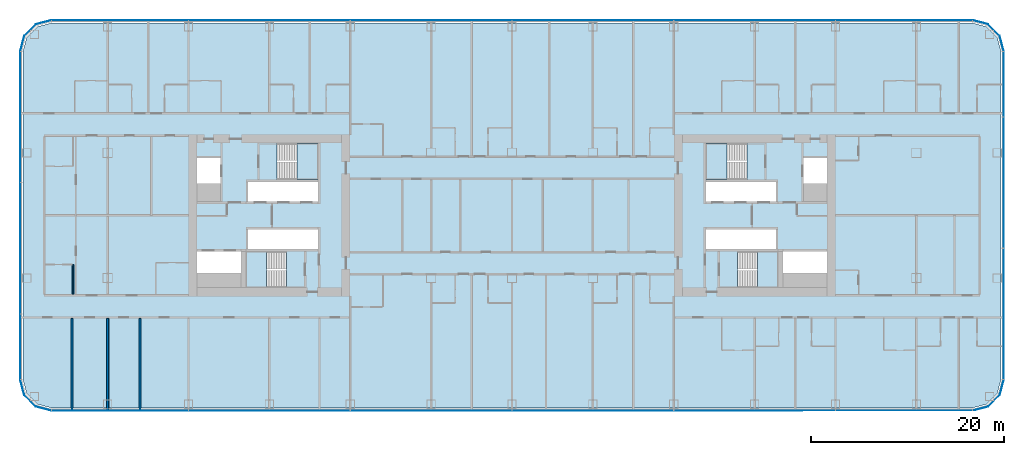
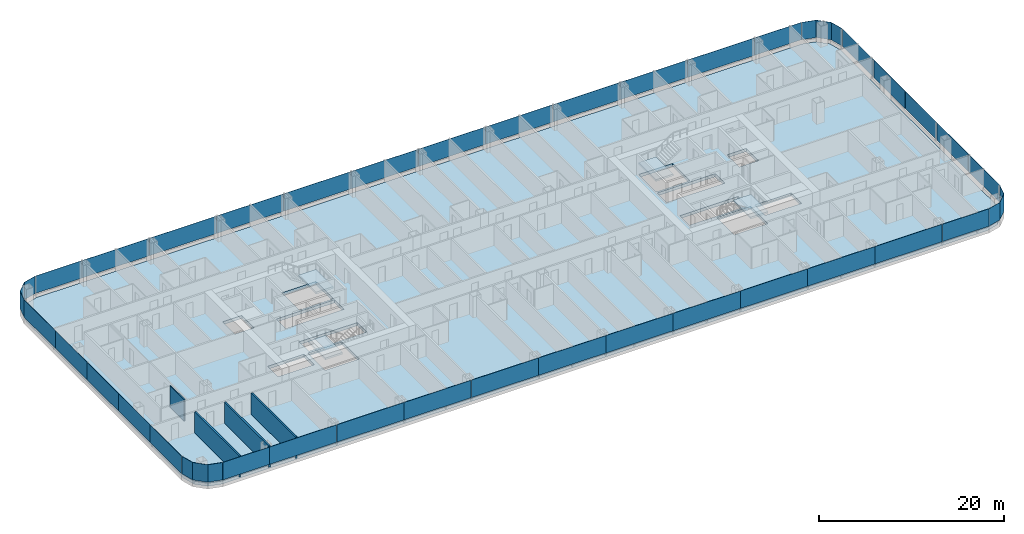
# One storey, part 12 of 28: 38 plates, 5 slabs, 4 walls, 12 elements without a shape of their own.
"""IFC4 building model written with IfcOpenShell, lengths in metres."""

import ifcopenshell
import ifcopenshell.guid

model = None  # the IFC model being written
_history = None  # IfcOwnerHistory: only IFC2X3 demands one
_inside = {}  # id of a spatial element -> (the spatial element, [elements in it])
_under = {}  # id of a project, library or spatial element -> (it, [spatial elements below it])
_declared = {}  # id of a project -> (the project, [libraries it declares])
_typed = {}  # id of a type object -> (the type object, [elements of that type])
_made_of = {}  # id of a material, layer set ... -> (it, [elements and type objects made of it])


def new_model(schema):
    """Start an empty IFC model of exactly this schema.

    Asked for "IFC4X3", IfcOpenShell would pick the latest addendum, in which some entities
    have other attributes; the version numbers below select the first issue.
    IFC2X3 requires an IfcOwnerHistory on every rooted entity: one is made here for all.
    """
    global model, _history
    if schema == "IFC4X3":
        model = ifcopenshell.file(schema_version=(4, 3, 0, 0))
    else:
        model = ifcopenshell.file(schema=schema)
    _inside.clear()
    _under.clear()
    _declared.clear()
    _typed.clear()
    _made_of.clear()
    _history = None
    if model.schema == "IFC2X3":
        org = make("IfcOrganization", Name="unknown")
        user = make(
            "IfcPersonAndOrganization",
            ThePerson=make("IfcPerson", FamilyName="unknown"),
            TheOrganization=org,
        )
        app = make(
            "IfcApplication",
            ApplicationDeveloper=org,
            Version="unknown",
            ApplicationFullName="unknown",
            ApplicationIdentifier="unknown",
        )
        _history = make(
            "IfcOwnerHistory",
            OwningUser=user,
            OwningApplication=app,
            ChangeAction="ADDED",
            CreationDate=0,
        )
    return model


def make(cls, **values):
    """One entity of the class cls with the attributes given. An attribute that is None is left unset."""
    return model.create_entity(
        cls, **{name: value for name, value in values.items() if value is not None}
    )


def rooted(cls, **values):
    """An entity with a GlobalId (a new one), such as an element, a storey or a relation."""
    return make(cls, GlobalId=ifcopenshell.guid.new(), OwnerHistory=_history, **values)


def si_unit(unit_type, name, prefix=None):
    """IfcSIUnit, for example si_unit("LENGTHUNIT", "METRE", prefix="MILLI")."""
    return make("IfcSIUnit", UnitType=unit_type, Prefix=prefix, Name=name)


def assignment(units):
    """IfcUnitAssignment: the units of a project."""
    return None if units is None else make("IfcUnitAssignment", Units=units)


def point(xyz):
    """IfcCartesianPoint."""
    return None if xyz is None else make("IfcCartesianPoint", Coordinates=xyz)


def direction(xyz):
    """IfcDirection."""
    return None if xyz is None else make("IfcDirection", DirectionRatios=xyz)


def frame(location, z_axis=None, x_axis=None):
    """IfcAxis2Placement3D, a coordinate frame: its origin and axes. An axis left out is left unset."""
    return make(
        "IfcAxis2Placement3D",
        Location=point(location),
        Axis=direction(z_axis),
        RefDirection=direction(x_axis),
    )


def frame_2d(location, x_axis=None):
    """IfcAxis2Placement2D, a coordinate frame in the plane: its origin and x axis."""
    return make(
        "IfcAxis2Placement2D", Location=point(location), RefDirection=direction(x_axis)
    )


def origin():
    """The frame at (0, 0, 0) with its axes left unset."""
    return frame((0.0, 0.0, 0.0))


def origin_2d():
    """The frame at (0, 0) in the plane with its x axis left unset."""
    return frame_2d((0.0, 0.0))


def place(relative_to, where):
    """IfcLocalPlacement: puts the frame where relative to a parent placement (None: the world)."""
    return make(
        "IfcLocalPlacement", PlacementRelTo=relative_to, RelativePlacement=where
    )


def context(
    kind, dimensions, precision=None, world=None, true_north=None, identifier=None
):
    """IfcGeometricRepresentationContext, for example the 3D "Model" context."""
    return make(
        "IfcGeometricRepresentationContext",
        ContextIdentifier=identifier,
        ContextType=kind,
        CoordinateSpaceDimension=dimensions,
        Precision=precision,
        WorldCoordinateSystem=world,
        TrueNorth=true_north,
    )


def subcontext(parent, identifier, kind, view, scale=None):
    """IfcGeometricRepresentationSubContext, for example "Body" below "Model"."""
    return make(
        "IfcGeometricRepresentationSubContext",
        ContextIdentifier=identifier,
        ContextType=kind,
        ParentContext=parent,
        TargetScale=scale,
        TargetView=view,
    )


def project(units=None, contexts=None):
    """IfcProject with its units and contexts."""
    return rooted(
        "IfcProject",
        Name="project",
        RepresentationContexts=contexts,
        UnitsInContext=assignment(units),
    )


def spatial(cls, under=None, at=None, **own):
    """A site, building, storey or space (cls), placed at a placement, below another one or the project."""
    s = rooted(cls, ObjectPlacement=at, **own)
    if under is not None:
        _under.setdefault(under.id(), (under, []))[1].append(s)
    return s


def polyline(points):
    """IfcPolyline through the points."""
    return make("IfcPolyline", Points=[point(p) for p in points])


def profile(cls, at=None, kind="AREA", **sizes):
    """A parametric profile (cls). Its sizes go by their IFC names, for example OverallWidth=200.0."""
    return make(cls, ProfileType=kind, Position=at, **sizes)


def rectangle(**sizes):
    """IfcRectangleProfileDef."""
    return profile("IfcRectangleProfileDef", **sizes)


def outline(outer, holes=None, kind="AREA"):
    """IfcArbitraryClosedProfileDef: a profile drawn as a closed curve; with holes, ...WithVoids."""
    if holes is None:
        return make("IfcArbitraryClosedProfileDef", ProfileType=kind, OuterCurve=outer)
    return make(
        "IfcArbitraryProfileDefWithVoids",
        ProfileType=kind,
        OuterCurve=outer,
        InnerCurves=holes,
    )


def extrude(swept, where, along, depth):
    """IfcExtrudedAreaSolid: the profile swept, set in the frame where, extruded along a direction by depth."""
    return make(
        "IfcExtrudedAreaSolid",
        SweptArea=swept,
        Position=where,
        ExtrudedDirection=direction(along),
        Depth=depth,
    )


def shape(context_of_items, identifier, shape_type, items):
    """IfcShapeRepresentation: the items that make up one representation, for example the "Body"."""
    return make(
        "IfcShapeRepresentation",
        ContextOfItems=context_of_items,
        RepresentationIdentifier=identifier,
        RepresentationType=shape_type,
        Items=items,
    )


def material(Name=None, Category=None):
    """IfcMaterial."""
    return make("IfcMaterial", Name=Name, Category=Category)


def layer(
    of_material, thickness, ventilated=None, Name=None, Category=None, Priority=None
):
    """IfcMaterialLayer: one layer of a wall or slab, of a material (None: an air gap)."""
    return make(
        "IfcMaterialLayer",
        Material=of_material,
        LayerThickness=thickness,
        IsVentilated=ventilated,
        Name=Name,
        Category=Category,
        Priority=Priority,
    )


def layer_set(layers, Name=None):
    """IfcMaterialLayerSet."""
    return make("IfcMaterialLayerSet", MaterialLayers=layers, LayerSetName=Name)


def made_of(thing, what):
    """Note that an element or type object is made of a material, layer set ...; save() writes the relation."""
    if what is not None:
        _made_of.setdefault(what.id(), (what, []))[1].append(thing)
    return thing


def type_object(cls, material=None, **own):
    """A type object (cls), such as IfcWallType, which elements share."""
    return made_of(rooted(cls, **own), material)


def element(
    cls,
    number,
    at=None,
    inside=None,
    cuts=None,
    type_object=None,
    material=None,
    context=None,
    identifier="Body",
    shape_type=None,
    held_by="IfcProductDefinitionShape",
    body=None,
    shapes=None,
    **own,
):
    """One element of the class cls, such as IfcWall. Its Tag is "e" and its number.

    at: its placement. inside: the storey or other place that contains it. cuts: it is an
    opening in that element (IfcRelVoidsElement). A single representation is given by context,
    identifier, shape_type and body (its items); several are given by shapes. held_by: the class
    of the entity that holds the representations. save() writes the other relations.
    """
    e = rooted(cls, Tag="e%d" % number, ObjectPlacement=at, **own)
    if body is not None:
        shapes = [shape(context, identifier, shape_type, body)]
    if shapes is not None:
        e.Representation = make(held_by, Representations=shapes)
    if inside is not None:
        _inside.setdefault(inside.id(), (inside, []))[1].append(e)
    if cuts is not None:
        rooted(
            "IfcRelVoidsElement", RelatingBuildingElement=cuts, RelatedOpeningElement=e
        )
    if type_object is not None:
        _typed.setdefault(type_object.id(), (type_object, []))[1].append(e)
    return made_of(e, material)


def aggregate(whole, parts):
    """IfcRelAggregates: a whole, such as a stair, and the parts it consists of."""
    return rooted("IfcRelAggregates", RelatingObject=whole, RelatedObjects=parts)


def save(model, path):
    """Write the relations noted so far, then the file.

    IfcRelAggregates (storeys below a building ...), IfcRelContainedInSpatialStructure (elements
    in a storey), IfcRelDefinesByType, IfcRelAssociatesMaterial and IfcRelDeclares: one each for
    every whole, place, type object, material and project.
    """
    for whole, parts in _under.values():
        aggregate(whole, parts)
    for where, things in _inside.values():
        rooted(
            "IfcRelContainedInSpatialStructure",
            RelatedElements=things,
            RelatingStructure=where,
        )
    for kind, things in _typed.values():
        rooted("IfcRelDefinesByType", RelatedObjects=things, RelatingType=kind)
    for what, things in _made_of.values():
        rooted("IfcRelAssociatesMaterial", RelatedObjects=things, RelatingMaterial=what)
    for by, libraries in _declared.values():
        rooted("IfcRelDeclares", RelatingContext=by, RelatedDefinitions=libraries)
    model.write(path)


model = new_model("IFC4")

# Units and contexts
model_context = context("Model", 3, precision=1e-05, world=origin(), true_north=direction((0.0, 1.0)))
body_context = subcontext(model_context, "Body", "Model", "MODEL_VIEW")
ifc_project = project(units=[si_unit("LENGTHUNIT", "METRE"), si_unit("AREAUNIT", "SQUARE_METRE"), si_unit("VOLUMEUNIT", "CUBIC_METRE"), si_unit("PLANEANGLEUNIT", "RADIAN"), si_unit("MASSUNIT", "GRAM", prefix="KILO")], contexts=[model_context])

# Site, building, storey
site_placement = place(None, origin())
site = spatial("IfcSite", under=ifc_project, at=site_placement, CompositionType="ELEMENT")
building_placement = place(site_placement, origin())
building = spatial("IfcBuilding", under=site, at=building_placement, Name="Hakoniwa Tower and Hamabe Station Hall", CompositionType="ELEMENT")
storey_placement = place(building_placement, frame((0.0, 0.0, 42.199951171875)))
storey = spatial("IfcBuildingStorey", under=building, at=storey_placement, Name="L11", CompositionType="ELEMENT", Elevation=42.199951171875)

# Stair, slab
ifc_material_1 = material(Name="Concrete C40", Category="concrete")
stair_type = type_object("IfcStairType", Name="ESCAPE STAIR 1800", PredefinedType="HALF_TURN_STAIR", material=ifc_material_1)
stair_1_placement = place(storey_placement, origin())
stair_1 = element("IfcStair", 1, at=stair_1_placement, inside=storey, type_object=stair_type, Name="Escape stair ST-1 L11", PredefinedType="HALF_TURN_STAIR")
ifc_material_2 = material(Name="Concrete C40", Category="concrete")
ifc_layer_1 = layer(ifc_material_2, 0.25)
ifc_layer_set_1 = layer_set([ifc_layer_1], Name="CORE STAIR LANDING 250")
slab_type_1 = type_object("IfcSlabType", Name="CORE STAIR LANDING 250", PredefinedType="LANDING", material=ifc_layer_set_1)
slab_1_placement = place(storey_placement, frame((0.0, 0.0, 1.35009765625)))
slab_1 = element("IfcSlab", 2, at=slab_1_placement, type_object=slab_type_1, Name="ST-1 landing 1", PredefinedType="LANDING", context=body_context, shape_type="SweptSolid", body=[
    extrude(outline(polyline([(-22.320068359375, 3.75), (-20.14990234375, 3.75), (-20.14990234375, 7.5), (-22.320068359375, 7.5), (-22.320068359375, 3.75)])), origin(), (0.0, 0.0, 1.0), 0.25),
])
aggregate(stair_1, [slab_1])

stair_2_placement = place(storey_placement, origin())
stair_2 = element("IfcStair", 3, at=stair_2_placement, inside=storey, type_object=stair_type, Name="Escape stair ST-2 L11", PredefinedType="HALF_TURN_STAIR")
slab_2_placement = place(storey_placement, frame((0.0, 0.0, 1.35009765625)))
slab_2 = element("IfcSlab", 4, at=slab_2_placement, type_object=slab_type_1, Name="ST-2 landing 1", PredefinedType="LANDING", context=body_context, shape_type="SweptSolid", body=[
    extrude(outline(polyline([(-25.47998046875, -7.5), (-27.64990234375, -7.5), (-27.64990234375, -3.75), (-25.47998046875, -3.75), (-25.47998046875, -7.5)])), origin(), (0.0, 0.0, 1.0), 0.25),
])
aggregate(stair_2, [slab_2])

stair_3_placement = place(storey_placement, origin())
stair_3 = element("IfcStair", 5, at=stair_3_placement, inside=storey, type_object=stair_type, Name="Escape stair ST-3 L11", PredefinedType="HALF_TURN_STAIR")
slab_3_placement = place(storey_placement, frame((0.0, 0.0, 1.35009765625)))
slab_3 = element("IfcSlab", 6, at=slab_3_placement, type_object=slab_type_1, Name="ST-3 landing 1", PredefinedType="LANDING", context=body_context, shape_type="SweptSolid", body=[
    extrude(outline(polyline([(22.320068359375, 3.75), (20.14990234375, 3.75), (20.14990234375, 7.5), (22.320068359375, 7.5), (22.320068359375, 3.75)])), origin(), (0.0, 0.0, 1.0), 0.25),
])
aggregate(stair_3, [slab_3])

stair_4_placement = place(storey_placement, origin())
stair_4 = element("IfcStair", 7, at=stair_4_placement, inside=storey, type_object=stair_type, Name="Escape stair ST-4 L11", PredefinedType="HALF_TURN_STAIR")
slab_4_placement = place(storey_placement, frame((0.0, 0.0, 1.35009765625)))
slab_4 = element("IfcSlab", 8, at=slab_4_placement, type_object=slab_type_1, Name="ST-4 landing 1", PredefinedType="LANDING", context=body_context, shape_type="SweptSolid", body=[
    extrude(outline(polyline([(25.47998046875, -7.5), (27.64990234375, -7.5), (27.64990234375, -3.75), (25.47998046875, -3.75), (25.47998046875, -7.5)])), origin(), (0.0, 0.0, 1.0), 0.25),
])
aggregate(stair_4, [slab_4])

# Curtain wall, plates
ifc_material_3 = material(Name="Dark low-e laminated glass", Category="glass")
ifc_layer_2 = layer(ifc_material_3, 0.199951171875)
ifc_layer_set_2 = layer_set([ifc_layer_2], Name="CW-1 UNITISED GUEST")
curtain_wall_type = type_object("IfcCurtainWallType", Name="CW-1 UNITISED GUEST", PredefinedType="NOTDEFINED", material=ifc_layer_set_2)
curtain_wall_1_placement = place(storey_placement, origin())
curtain_wall_1 = element("IfcCurtainWall", 9, at=curtain_wall_1_placement, inside=storey, type_object=curtain_wall_type, Name="CW-1 curtain wall", PredefinedType="NOTDEFINED")
ifc_material_4 = material(Name="Dark low-e laminated glass", Category="glass")
ifc_layer_3 = layer(ifc_material_4, 0.028076171875)
ifc_layer_set_3 = layer_set([ifc_layer_3], Name="CW-1 GLASS UNIT")
plate_type = type_object("IfcPlateType", Name="CW-1 GLASS UNIT", PredefinedType="CURTAIN_PANEL", material=ifc_layer_set_3)
plate_1_placement = place(storey_placement, frame((51.0859375, -13.631591796875, 0.35009765625), z_axis=(0.0, 0.0, 1.0), x_axis=(0.0, 1.0, 0.0)))
plate_1 = element("IfcPlate", 10, at=plate_1_placement, type_object=plate_type, Name="CW-1 glass unit", PredefinedType="CURTAIN_PANEL", context=body_context, shape_type="SweptSolid", body=[
    extrude(rectangle(XDim=6.7958984375, YDim=0.028076171875, at=origin_2d()), origin(), (0.0, 0.0, 1.0), 2.300048828125),
])
plate_2_placement = place(storey_placement, frame((51.0859375, -6.81591796875, 0.35009765625), z_axis=(0.0, 0.0, 1.0), x_axis=(0.0, 1.0, 0.0)))
plate_2 = element("IfcPlate", 11, at=plate_2_placement, type_object=plate_type, Name="CW-1 glass unit", PredefinedType="CURTAIN_PANEL", context=body_context, shape_type="SweptSolid", body=[
    extrude(rectangle(XDim=6.7958984375, YDim=0.028076171875, at=origin_2d()), origin(), (0.0, 0.0, 1.0), 2.300048828125),
])
plate_3_placement = place(storey_placement, frame((51.0859375, 0.0, 0.35009765625), z_axis=(0.0, 0.0, 1.0), x_axis=(0.0, 1.0, 0.0)))
plate_3 = element("IfcPlate", 12, at=plate_3_placement, type_object=plate_type, Name="CW-1 glass unit", PredefinedType="CURTAIN_PANEL", context=body_context, shape_type="SweptSolid", body=[
    extrude(rectangle(XDim=6.7958984375, YDim=0.028076171875, at=origin_2d()), origin(), (0.0, 0.0, 1.0), 2.300048828125),
])
plate_4_placement = place(storey_placement, frame((51.0859375, 6.81591796875, 0.35009765625), z_axis=(0.0, 0.0, 1.0), x_axis=(0.0, 1.0, 0.0)))
plate_4 = element("IfcPlate", 13, at=plate_4_placement, type_object=plate_type, Name="CW-1 glass unit", PredefinedType="CURTAIN_PANEL", context=body_context, shape_type="SweptSolid", body=[
    extrude(rectangle(XDim=6.7958984375, YDim=0.028076171875, at=origin_2d()), origin(), (0.0, 0.0, 1.0), 2.300048828125),
])
plate_5_placement = place(storey_placement, frame((51.0859375, 13.631591796875, 0.35009765625), z_axis=(0.0, 0.0, 1.0), x_axis=(0.0, 1.0, 0.0)))
plate_5 = element("IfcPlate", 14, at=plate_5_placement, type_object=plate_type, Name="CW-1 glass unit", PredefinedType="CURTAIN_PANEL", context=body_context, shape_type="SweptSolid", body=[
    extrude(rectangle(XDim=6.7958984375, YDim=0.028076171875, at=origin_2d()), origin(), (0.0, 0.0, 1.0), 2.300048828125),
])
aggregate(curtain_wall_1, [plate_1, plate_2, plate_3, plate_4, plate_5])

# Curtain wall, plate
curtain_wall_2_placement = place(storey_placement, origin())
curtain_wall_2 = element("IfcCurtainWall", 15, at=curtain_wall_2_placement, inside=storey, type_object=curtain_wall_type, Name="CW-1 curtain wall", PredefinedType="NOTDEFINED")
plate_6_placement = place(storey_placement, frame((0.0, 0.0, 0.35009765625)))
plate_6 = element("IfcPlate", 16, at=plate_6_placement, type_object=plate_type, Name="CW-1 curved corner unit", PredefinedType="CURTAIN_PANEL", context=body_context, shape_type="SweptSolid", body=[
    extrude(outline(polyline([(51.089599609375, 17.078125), (50.6669921875, 18.6552734375), (49.455322265625, 19.866943359375), (47.878173828125, 20.28955078125), (47.870849609375, 20.2626953125), (49.44091796875, 19.842041015625), (50.641845703125, 18.640869140625), (51.0625, 17.07080078125), (51.089599609375, 17.078125)])), origin(), (0.0, 0.0, 1.0), 2.300048828125),
])
aggregate(curtain_wall_2, [plate_6])

# Curtain wall, plates
curtain_wall_3_placement = place(storey_placement, origin())
curtain_wall_3 = element("IfcCurtainWall", 17, at=curtain_wall_3_placement, inside=storey, type_object=curtain_wall_type, Name="CW-1 curtain wall", PredefinedType="NOTDEFINED")
plate_7_placement = place(storey_placement, frame((44.919677734375, 20.285888671875, 0.35009765625), z_axis=(0.0, 0.0, 1.0), x_axis=(-1.0, 0.0, 0.0)))
plate_7 = element("IfcPlate", 18, at=plate_7_placement, type_object=plate_type, Name="CW-1 glass unit", PredefinedType="CURTAIN_PANEL", context=body_context, shape_type="SweptSolid", body=[
    extrude(rectangle(XDim=5.819580078125, YDim=0.028076171875, at=origin_2d()), origin(), (0.0, 0.0, 1.0), 2.300048828125),
])
plate_8_placement = place(storey_placement, frame((37.800048828125, 20.285888671875, 0.35009765625), z_axis=(0.0, 0.0, 1.0), x_axis=(-1.0, 0.0, 0.0)))
plate_8 = element("IfcPlate", 19, at=plate_8_placement, type_object=plate_type, Name="CW-1 glass unit", PredefinedType="CURTAIN_PANEL", context=body_context, shape_type="SweptSolid", body=[
    extrude(rectangle(XDim=8.3798828125, YDim=0.028076171875, at=origin_2d()), origin(), (0.0, 0.0, 1.0), 2.300048828125),
])
plate_9_placement = place(storey_placement, frame((29.39990234375, 20.285888671875, 0.35009765625), z_axis=(0.0, 0.0, 1.0), x_axis=(-1.0, 0.0, 0.0)))
plate_9 = element("IfcPlate", 20, at=plate_9_placement, type_object=plate_type, Name="CW-1 glass unit", PredefinedType="CURTAIN_PANEL", context=body_context, shape_type="SweptSolid", body=[
    extrude(rectangle(XDim=8.3798828125, YDim=0.028076171875, at=origin_2d()), origin(), (0.0, 0.0, 1.0), 2.300048828125),
])
plate_10_placement = place(storey_placement, frame((21.0, 20.285888671875, 0.35009765625), z_axis=(0.0, 0.0, 1.0), x_axis=(-1.0, 0.0, 0.0)))
plate_10 = element("IfcPlate", 21, at=plate_10_placement, type_object=plate_type, Name="CW-1 glass unit", PredefinedType="CURTAIN_PANEL", context=body_context, shape_type="SweptSolid", body=[
    extrude(rectangle(XDim=8.3798828125, YDim=0.028076171875, at=origin_2d()), origin(), (0.0, 0.0, 1.0), 2.300048828125),
])
plate_11_placement = place(storey_placement, frame((12.60009765625, 20.285888671875, 0.35009765625), z_axis=(0.0, 0.0, 1.0), x_axis=(-1.0, 0.0, 0.0)))
plate_11 = element("IfcPlate", 22, at=plate_11_placement, type_object=plate_type, Name="CW-1 glass unit", PredefinedType="CURTAIN_PANEL", context=body_context, shape_type="SweptSolid", body=[
    extrude(rectangle(XDim=8.3798828125, YDim=0.028076171875, at=origin_2d()), origin(), (0.0, 0.0, 1.0), 2.300048828125),
])
plate_12_placement = place(storey_placement, frame((4.199951171875, 20.285888671875, 0.35009765625), z_axis=(0.0, 0.0, 1.0), x_axis=(-1.0, 0.0, 0.0)))
plate_12 = element("IfcPlate", 23, at=plate_12_placement, type_object=plate_type, Name="CW-1 glass unit", PredefinedType="CURTAIN_PANEL", context=body_context, shape_type="SweptSolid", body=[
    extrude(rectangle(XDim=8.3798828125, YDim=0.028076171875, at=origin_2d()), origin(), (0.0, 0.0, 1.0), 2.300048828125),
])
plate_13_placement = place(storey_placement, frame((-4.199951171875, 20.285888671875, 0.35009765625), z_axis=(0.0, 0.0, 1.0), x_axis=(-1.0, 0.0, 0.0)))
plate_13 = element("IfcPlate", 24, at=plate_13_placement, type_object=plate_type, Name="CW-1 glass unit", PredefinedType="CURTAIN_PANEL", context=body_context, shape_type="SweptSolid", body=[
    extrude(rectangle(XDim=8.3798828125, YDim=0.028076171875, at=origin_2d()), origin(), (0.0, 0.0, 1.0), 2.300048828125),
])
plate_14_placement = place(storey_placement, frame((-12.60009765625, 20.285888671875, 0.35009765625), z_axis=(0.0, 0.0, 1.0), x_axis=(-1.0, 0.0, 0.0)))
plate_14 = element("IfcPlate", 25, at=plate_14_placement, type_object=plate_type, Name="CW-1 glass unit", PredefinedType="CURTAIN_PANEL", context=body_context, shape_type="SweptSolid", body=[
    extrude(rectangle(XDim=8.3798828125, YDim=0.028076171875, at=origin_2d()), origin(), (0.0, 0.0, 1.0), 2.300048828125),
])
plate_15_placement = place(storey_placement, frame((-21.0, 20.285888671875, 0.35009765625), z_axis=(0.0, 0.0, 1.0), x_axis=(-1.0, 0.0, 0.0)))
plate_15 = element("IfcPlate", 26, at=plate_15_placement, type_object=plate_type, Name="CW-1 glass unit", PredefinedType="CURTAIN_PANEL", context=body_context, shape_type="SweptSolid", body=[
    extrude(rectangle(XDim=8.3798828125, YDim=0.028076171875, at=origin_2d()), origin(), (0.0, 0.0, 1.0), 2.300048828125),
])
plate_16_placement = place(storey_placement, frame((-29.39990234375, 20.285888671875, 0.35009765625), z_axis=(0.0, 0.0, 1.0), x_axis=(-1.0, 0.0, 0.0)))
plate_16 = element("IfcPlate", 27, at=plate_16_placement, type_object=plate_type, Name="CW-1 glass unit", PredefinedType="CURTAIN_PANEL", context=body_context, shape_type="SweptSolid", body=[
    extrude(rectangle(XDim=8.3798828125, YDim=0.028076171875, at=origin_2d()), origin(), (0.0, 0.0, 1.0), 2.300048828125),
])
plate_17_placement = place(storey_placement, frame((-37.800048828125, 20.285888671875, 0.35009765625), z_axis=(0.0, 0.0, 1.0), x_axis=(-1.0, 0.0, 0.0)))
plate_17 = element("IfcPlate", 28, at=plate_17_placement, type_object=plate_type, Name="CW-1 glass unit", PredefinedType="CURTAIN_PANEL", context=body_context, shape_type="SweptSolid", body=[
    extrude(rectangle(XDim=8.3798828125, YDim=0.028076171875, at=origin_2d()), origin(), (0.0, 0.0, 1.0), 2.300048828125),
])
plate_18_placement = place(storey_placement, frame((-44.919677734375, 20.285888671875, 0.35009765625), z_axis=(0.0, 0.0, 1.0), x_axis=(-1.0, 0.0, 0.0)))
plate_18 = element("IfcPlate", 29, at=plate_18_placement, type_object=plate_type, Name="CW-1 glass unit", PredefinedType="CURTAIN_PANEL", context=body_context, shape_type="SweptSolid", body=[
    extrude(rectangle(XDim=5.819580078125, YDim=0.028076171875, at=origin_2d()), origin(), (0.0, 0.0, 1.0), 2.300048828125),
])
aggregate(curtain_wall_3, [plate_7, plate_8, plate_9, plate_10, plate_11, plate_12, plate_13, plate_14, plate_15, plate_16, plate_17, plate_18])

# Curtain wall, plate
curtain_wall_4_placement = place(storey_placement, origin())
curtain_wall_4 = element("IfcCurtainWall", 30, at=curtain_wall_4_placement, inside=storey, type_object=curtain_wall_type, Name="CW-1 curtain wall", PredefinedType="NOTDEFINED")
plate_19_placement = place(storey_placement, frame((0.0, 0.0, 0.35009765625)))
plate_19 = element("IfcPlate", 31, at=plate_19_placement, type_object=plate_type, Name="CW-1 curved corner unit", PredefinedType="CURTAIN_PANEL", context=body_context, shape_type="SweptSolid", body=[
    extrude(outline(polyline([(-47.878173828125, 20.28955078125), (-49.455322265625, 19.866943359375), (-50.6669921875, 18.6552734375), (-51.089599609375, 17.078125), (-51.0625, 17.07080078125), (-50.641845703125, 18.640869140625), (-49.44091796875, 19.842041015625), (-47.870849609375, 20.2626953125), (-47.878173828125, 20.28955078125)])), origin(), (0.0, 0.0, 1.0), 2.300048828125),
])
aggregate(curtain_wall_4, [plate_19])

# Curtain wall, plates
curtain_wall_5_placement = place(storey_placement, origin())
curtain_wall_5 = element("IfcCurtainWall", 32, at=curtain_wall_5_placement, inside=storey, type_object=curtain_wall_type, Name="CW-1 curtain wall", PredefinedType="NOTDEFINED")
plate_20_placement = place(storey_placement, frame((-51.0859375, 13.631591796875, 0.35009765625), z_axis=(0.0, 0.0, 1.0), x_axis=(0.0, -1.0, 0.0)))
plate_20 = element("IfcPlate", 33, at=plate_20_placement, type_object=plate_type, Name="CW-1 glass unit", PredefinedType="CURTAIN_PANEL", context=body_context, shape_type="SweptSolid", body=[
    extrude(rectangle(XDim=6.7958984375, YDim=0.028076171875, at=origin_2d()), origin(), (0.0, 0.0, 1.0), 2.300048828125),
])
plate_21_placement = place(storey_placement, frame((-51.0859375, 6.81591796875, 0.35009765625), z_axis=(0.0, 0.0, 1.0), x_axis=(0.0, -1.0, 0.0)))
plate_21 = element("IfcPlate", 34, at=plate_21_placement, type_object=plate_type, Name="CW-1 glass unit", PredefinedType="CURTAIN_PANEL", context=body_context, shape_type="SweptSolid", body=[
    extrude(rectangle(XDim=6.7958984375, YDim=0.028076171875, at=origin_2d()), origin(), (0.0, 0.0, 1.0), 2.300048828125),
])
plate_22_placement = place(storey_placement, frame((-51.0859375, 0.0, 0.35009765625), z_axis=(0.0, 0.0, 1.0), x_axis=(0.0, -1.0, 0.0)))
plate_22 = element("IfcPlate", 35, at=plate_22_placement, type_object=plate_type, Name="CW-1 glass unit", PredefinedType="CURTAIN_PANEL", context=body_context, shape_type="SweptSolid", body=[
    extrude(rectangle(XDim=6.7958984375, YDim=0.028076171875, at=origin_2d()), origin(), (0.0, 0.0, 1.0), 2.300048828125),
])
plate_23_placement = place(storey_placement, frame((-51.0859375, -6.81591796875, 0.35009765625), z_axis=(0.0, 0.0, 1.0), x_axis=(0.0, -1.0, 0.0)))
plate_23 = element("IfcPlate", 36, at=plate_23_placement, type_object=plate_type, Name="CW-1 glass unit", PredefinedType="CURTAIN_PANEL", context=body_context, shape_type="SweptSolid", body=[
    extrude(rectangle(XDim=6.7958984375, YDim=0.028076171875, at=origin_2d()), origin(), (0.0, 0.0, 1.0), 2.300048828125),
])
plate_24_placement = place(storey_placement, frame((-51.0859375, -13.631591796875, 0.35009765625), z_axis=(0.0, 0.0, 1.0), x_axis=(0.0, -1.0, 0.0)))
plate_24 = element("IfcPlate", 37, at=plate_24_placement, type_object=plate_type, Name="CW-1 glass unit", PredefinedType="CURTAIN_PANEL", context=body_context, shape_type="SweptSolid", body=[
    extrude(rectangle(XDim=6.7958984375, YDim=0.028076171875, at=origin_2d()), origin(), (0.0, 0.0, 1.0), 2.300048828125),
])
aggregate(curtain_wall_5, [plate_20, plate_21, plate_22, plate_23, plate_24])

# Curtain wall, plate
curtain_wall_6_placement = place(storey_placement, origin())
curtain_wall_6 = element("IfcCurtainWall", 38, at=curtain_wall_6_placement, inside=storey, type_object=curtain_wall_type, Name="CW-1 curtain wall", PredefinedType="NOTDEFINED")
plate_25_placement = place(storey_placement, frame((0.0, 0.0, 0.35009765625)))
plate_25 = element("IfcPlate", 39, at=plate_25_placement, type_object=plate_type, Name="CW-1 curved corner unit", PredefinedType="CURTAIN_PANEL", context=body_context, shape_type="SweptSolid", body=[
    extrude(outline(polyline([(-51.089599609375, -17.078125), (-50.6669921875, -18.6552734375), (-49.455322265625, -19.866943359375), (-47.878173828125, -20.28955078125), (-47.870849609375, -20.2626953125), (-49.44091796875, -19.842041015625), (-50.641845703125, -18.640869140625), (-51.0625, -17.07080078125), (-51.089599609375, -17.078125)])), origin(), (0.0, 0.0, 1.0), 2.300048828125),
])
aggregate(curtain_wall_6, [plate_25])

# Curtain wall, plates
curtain_wall_7_placement = place(storey_placement, origin())
curtain_wall_7 = element("IfcCurtainWall", 40, at=curtain_wall_7_placement, inside=storey, type_object=curtain_wall_type, Name="CW-1 curtain wall", PredefinedType="NOTDEFINED")
plate_26_placement = place(storey_placement, frame((-44.919677734375, -20.285888671875, 0.35009765625), z_axis=(0.0, 0.0, 1.0), x_axis=(1.0, 0.0, 0.0)))
plate_26 = element("IfcPlate", 41, at=plate_26_placement, type_object=plate_type, Name="CW-1 glass unit", PredefinedType="CURTAIN_PANEL", context=body_context, shape_type="SweptSolid", body=[
    extrude(rectangle(XDim=5.819580078125, YDim=0.028076171875, at=origin_2d()), origin(), (0.0, 0.0, 1.0), 2.300048828125),
])
plate_27_placement = place(storey_placement, frame((-37.800048828125, -20.285888671875, 0.35009765625), z_axis=(0.0, 0.0, 1.0), x_axis=(1.0, 0.0, 0.0)))
plate_27 = element("IfcPlate", 42, at=plate_27_placement, type_object=plate_type, Name="CW-1 glass unit", PredefinedType="CURTAIN_PANEL", context=body_context, shape_type="SweptSolid", body=[
    extrude(rectangle(XDim=8.3798828125, YDim=0.028076171875, at=origin_2d()), origin(), (0.0, 0.0, 1.0), 2.300048828125),
])
plate_28_placement = place(storey_placement, frame((-29.39990234375, -20.285888671875, 0.35009765625), z_axis=(0.0, 0.0, 1.0), x_axis=(1.0, 0.0, 0.0)))
plate_28 = element("IfcPlate", 43, at=plate_28_placement, type_object=plate_type, Name="CW-1 glass unit", PredefinedType="CURTAIN_PANEL", context=body_context, shape_type="SweptSolid", body=[
    extrude(rectangle(XDim=8.3798828125, YDim=0.028076171875, at=origin_2d()), origin(), (0.0, 0.0, 1.0), 2.300048828125),
])
plate_29_placement = place(storey_placement, frame((-21.0, -20.285888671875, 0.35009765625), z_axis=(0.0, 0.0, 1.0), x_axis=(1.0, 0.0, 0.0)))
plate_29 = element("IfcPlate", 44, at=plate_29_placement, type_object=plate_type, Name="CW-1 glass unit", PredefinedType="CURTAIN_PANEL", context=body_context, shape_type="SweptSolid", body=[
    extrude(rectangle(XDim=8.3798828125, YDim=0.028076171875, at=origin_2d()), origin(), (0.0, 0.0, 1.0), 2.300048828125),
])
plate_30_placement = place(storey_placement, frame((-12.60009765625, -20.285888671875, 0.35009765625), z_axis=(0.0, 0.0, 1.0), x_axis=(1.0, 0.0, 0.0)))
plate_30 = element("IfcPlate", 45, at=plate_30_placement, type_object=plate_type, Name="CW-1 glass unit", PredefinedType="CURTAIN_PANEL", context=body_context, shape_type="SweptSolid", body=[
    extrude(rectangle(XDim=8.3798828125, YDim=0.028076171875, at=origin_2d()), origin(), (0.0, 0.0, 1.0), 2.300048828125),
])
plate_31_placement = place(storey_placement, frame((-4.199951171875, -20.285888671875, 0.35009765625), z_axis=(0.0, 0.0, 1.0), x_axis=(1.0, 0.0, 0.0)))
plate_31 = element("IfcPlate", 46, at=plate_31_placement, type_object=plate_type, Name="CW-1 glass unit", PredefinedType="CURTAIN_PANEL", context=body_context, shape_type="SweptSolid", body=[
    extrude(rectangle(XDim=8.3798828125, YDim=0.028076171875, at=origin_2d()), origin(), (0.0, 0.0, 1.0), 2.300048828125),
])
plate_32_placement = place(storey_placement, frame((4.199951171875, -20.285888671875, 0.35009765625), z_axis=(0.0, 0.0, 1.0), x_axis=(1.0, 0.0, 0.0)))
plate_32 = element("IfcPlate", 47, at=plate_32_placement, type_object=plate_type, Name="CW-1 glass unit", PredefinedType="CURTAIN_PANEL", context=body_context, shape_type="SweptSolid", body=[
    extrude(rectangle(XDim=8.3798828125, YDim=0.028076171875, at=origin_2d()), origin(), (0.0, 0.0, 1.0), 2.300048828125),
])
plate_33_placement = place(storey_placement, frame((12.60009765625, -20.285888671875, 0.35009765625), z_axis=(0.0, 0.0, 1.0), x_axis=(1.0, 0.0, 0.0)))
plate_33 = element("IfcPlate", 48, at=plate_33_placement, type_object=plate_type, Name="CW-1 glass unit", PredefinedType="CURTAIN_PANEL", context=body_context, shape_type="SweptSolid", body=[
    extrude(rectangle(XDim=8.3798828125, YDim=0.028076171875, at=origin_2d()), origin(), (0.0, 0.0, 1.0), 2.300048828125),
])
plate_34_placement = place(storey_placement, frame((21.0, -20.285888671875, 0.35009765625), z_axis=(0.0, 0.0, 1.0), x_axis=(1.0, 0.0, 0.0)))
plate_34 = element("IfcPlate", 49, at=plate_34_placement, type_object=plate_type, Name="CW-1 glass unit", PredefinedType="CURTAIN_PANEL", context=body_context, shape_type="SweptSolid", body=[
    extrude(rectangle(XDim=8.3798828125, YDim=0.028076171875, at=origin_2d()), origin(), (0.0, 0.0, 1.0), 2.300048828125),
])
plate_35_placement = place(storey_placement, frame((29.39990234375, -20.285888671875, 0.35009765625), z_axis=(0.0, 0.0, 1.0), x_axis=(1.0, 0.0, 0.0)))
plate_35 = element("IfcPlate", 50, at=plate_35_placement, type_object=plate_type, Name="CW-1 glass unit", PredefinedType="CURTAIN_PANEL", context=body_context, shape_type="SweptSolid", body=[
    extrude(rectangle(XDim=8.3798828125, YDim=0.028076171875, at=origin_2d()), origin(), (0.0, 0.0, 1.0), 2.300048828125),
])
plate_36_placement = place(storey_placement, frame((37.800048828125, -20.285888671875, 0.35009765625), z_axis=(0.0, 0.0, 1.0), x_axis=(1.0, 0.0, 0.0)))
plate_36 = element("IfcPlate", 51, at=plate_36_placement, type_object=plate_type, Name="CW-1 glass unit", PredefinedType="CURTAIN_PANEL", context=body_context, shape_type="SweptSolid", body=[
    extrude(rectangle(XDim=8.3798828125, YDim=0.028076171875, at=origin_2d()), origin(), (0.0, 0.0, 1.0), 2.300048828125),
])
plate_37_placement = place(storey_placement, frame((44.919677734375, -20.285888671875, 0.35009765625), z_axis=(0.0, 0.0, 1.0), x_axis=(1.0, 0.0, 0.0)))
plate_37 = element("IfcPlate", 52, at=plate_37_placement, type_object=plate_type, Name="CW-1 glass unit", PredefinedType="CURTAIN_PANEL", context=body_context, shape_type="SweptSolid", body=[
    extrude(rectangle(XDim=5.819580078125, YDim=0.028076171875, at=origin_2d()), origin(), (0.0, 0.0, 1.0), 2.300048828125),
])
aggregate(curtain_wall_7, [plate_26, plate_27, plate_28, plate_29, plate_30, plate_31, plate_32, plate_33, plate_34, plate_35, plate_36, plate_37])

# Curtain wall, plate
curtain_wall_8_placement = place(storey_placement, origin())
curtain_wall_8 = element("IfcCurtainWall", 53, at=curtain_wall_8_placement, inside=storey, type_object=curtain_wall_type, Name="CW-1 curtain wall", PredefinedType="NOTDEFINED")
plate_38_placement = place(storey_placement, frame((0.0, 0.0, 0.35009765625)))
plate_38 = element("IfcPlate", 54, at=plate_38_placement, type_object=plate_type, Name="CW-1 curved corner unit", PredefinedType="CURTAIN_PANEL", context=body_context, shape_type="SweptSolid", body=[
    extrude(outline(polyline([(47.878173828125, -20.28955078125), (49.455322265625, -19.866943359375), (50.6669921875, -18.6552734375), (51.089599609375, -17.078125), (51.0625, -17.07080078125), (50.641845703125, -18.640869140625), (49.44091796875, -19.842041015625), (47.870849609375, -20.2626953125), (47.878173828125, -20.28955078125)])), origin(), (0.0, 0.0, 1.0), 2.300048828125),
])
aggregate(curtain_wall_8, [plate_38])

# Slab
ifc_material_5 = material(Name="Concrete C42", Category="concrete")
ifc_layer_4 = layer(ifc_material_5, 0.39990234375)
ifc_layer_set_4 = layer_set([ifc_layer_4], Name="PT FLAT PLATE 400")
slab_type_2 = type_object("IfcSlabType", Name="PT FLAT PLATE 400", PredefinedType="FLOOR", material=ifc_layer_set_4)
slab_5_placement = place(storey_placement, frame((0.0, 0.0, -0.39990234375)))
element("IfcSlab", 55, at=slab_5_placement, inside=storey, type_object=slab_type_2, Name="Floor slab L11", PredefinedType="FLOOR", context=body_context, shape_type="SweptSolid", body=[
    extrude(outline(polyline([(50.800048828125, -17.0), (50.800048828125, 17.0), (50.398193359375, 18.5), (49.300048828125, 19.59814453125), (47.800048828125, 20.0), (-47.800048828125, 20.0), (-49.300048828125, 19.59814453125), (-50.398193359375, 18.5), (-50.800048828125, 17.0), (-50.800048828125, -17.0), (-50.398193359375, -18.5), (-49.300048828125, -19.59814453125), (-47.800048828125, -20.0), (47.800048828125, -20.0), (49.300048828125, -19.59814453125), (50.398193359375, -18.5), (50.800048828125, -17.0)]), holes=[polyline([(-27.39990234375, 1.449951171875), (-27.39990234375, 3.5), (-20.14990234375, 3.5), (-20.14990234375, 1.449951171875), (-27.39990234375, 1.449951171875)]), polyline([(-27.39990234375, -3.5), (-27.39990234375, -1.449951171875), (-20.14990234375, -1.449951171875), (-20.14990234375, -3.5), (-27.39990234375, -3.5)]), polyline([(-32.699951171875, 3.300048828125), (-32.699951171875, 5.949951171875), (-30.300048828125, 5.949951171875), (-30.300048828125, 3.300048828125), (-32.699951171875, 3.300048828125)]), polyline([(-32.699951171875, -6.0), (-32.699951171875, -3.75), (-28.14990234375, -3.75), (-28.14990234375, -6.0), (-32.699951171875, -6.0)]), polyline([(-24.389892578125, 3.75), (-24.389892578125, 7.5), (-20.14990234375, 7.5), (-20.14990234375, 3.75), (-24.389892578125, 3.75)]), polyline([(-27.64990234375, -7.5), (-27.64990234375, -3.75), (-23.409912109375, -3.75), (-23.409912109375, -7.5), (-27.64990234375, -7.5)]), polyline([(20.14990234375, 1.449951171875), (20.14990234375, 3.5), (27.39990234375, 3.5), (27.39990234375, 1.449951171875), (20.14990234375, 1.449951171875)]), polyline([(20.14990234375, -3.5), (20.14990234375, -1.449951171875), (27.39990234375, -1.449951171875), (27.39990234375, -3.5), (20.14990234375, -3.5)]), polyline([(30.300048828125, 3.300048828125), (30.300048828125, 5.949951171875), (32.699951171875, 5.949951171875), (32.699951171875, 3.300048828125), (30.300048828125, 3.300048828125)]), polyline([(28.14990234375, -6.0), (28.14990234375, -3.75), (32.699951171875, -3.75), (32.699951171875, -6.0), (28.14990234375, -6.0)]), polyline([(20.14990234375, 3.75), (20.14990234375, 7.5), (24.389892578125, 7.5), (24.389892578125, 3.75), (20.14990234375, 3.75)]), polyline([(23.409912109375, -7.5), (23.409912109375, -3.75), (27.64990234375, -3.75), (27.64990234375, -7.5), (23.409912109375, -7.5)])]), origin(), (0.0, 0.0, 1.0), 0.39990234375),
])

# Walls
ifc_material_6 = material(Name="Gypsum board partition", Category="gypsum")
ifc_layer_5 = layer(ifc_material_6, 0.125)
ifc_layer_set_5 = layer_set([ifc_layer_5], Name="Bathroom Partition 125")
wall_type_1 = type_object("IfcWallType", Name="Bathroom Partition 125", PredefinedType="PARTITIONING", material=ifc_layer_set_5)
wall_placement = place(storey_placement, frame((-45.60009765625, -8.199951171875, 0.0), z_axis=(0.0, 0.0, 1.0), x_axis=(0.0, 1.0, 0.0)))
element("IfcWall", 56, at=wall_placement, inside=storey, type_object=wall_type_1, Name="GW-L11-050", PredefinedType="PARTITIONING", context=body_context, shape_type="SweptSolid", body=[
    extrude(rectangle(XDim=3.099853515625, YDim=0.125, at=frame_2d((1.5498046875, 0.0))), origin(), (0.0, 0.0, 1.0), 2.800048828125),
])
ifc_material_7 = material(Name="Fire-rated gypsum board partition", Category="gypsum")
ifc_layer_6 = layer(ifc_material_7, 0.199951171875)
ifc_layer_set_6 = layer_set([ifc_layer_6], Name="Party Wall 200")
wall_type_2 = type_object("IfcWallType", Name="Party Wall 200", PredefinedType="PARTITIONING", material=ifc_layer_set_6)
for number, where, z_axis, x_axis, name in (
    (57, (-45.699951171875, -20.300048828125, 0.0), (0.0, 0.0, 1.0), (0.0, 1.0, 0.0), "GW-L11-049"),
    (58, (-42.0, -20.300048828125, 0.0), (0.0, 0.0, 1.0), (0.0, 1.0, 0.0), "GW-L11-054"),
    (59, (-38.639892578125, -20.300048828125, 0.0), (0.0, 0.0, 1.0), (0.0, 1.0, 0.0), "GW-L11-058"),
):
    element("IfcWall", number, at=place(storey_placement, frame(where, z_axis=z_axis, x_axis=x_axis)), inside=storey, type_object=wall_type_2, Name=name, PredefinedType="PARTITIONING", context=body_context, shape_type="SweptSolid", body=[
        extrude(rectangle(XDim=9.60009765625, YDim=0.199951171875, at=frame_2d((4.800048828125, 0.0))), origin(), (0.0, 0.0, 1.0), 2.800048828125),
    ])

save(model, "model.ifc")
